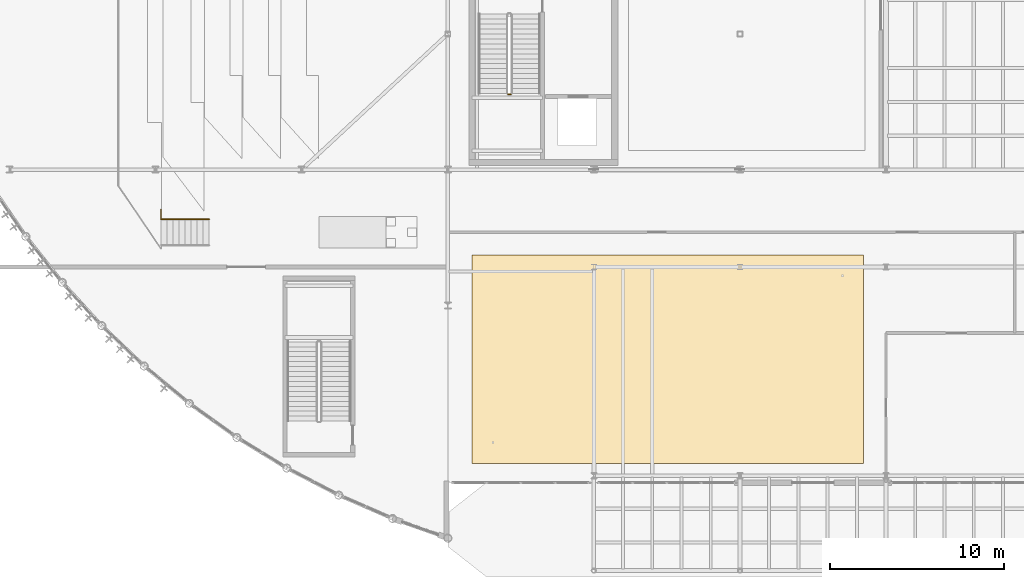
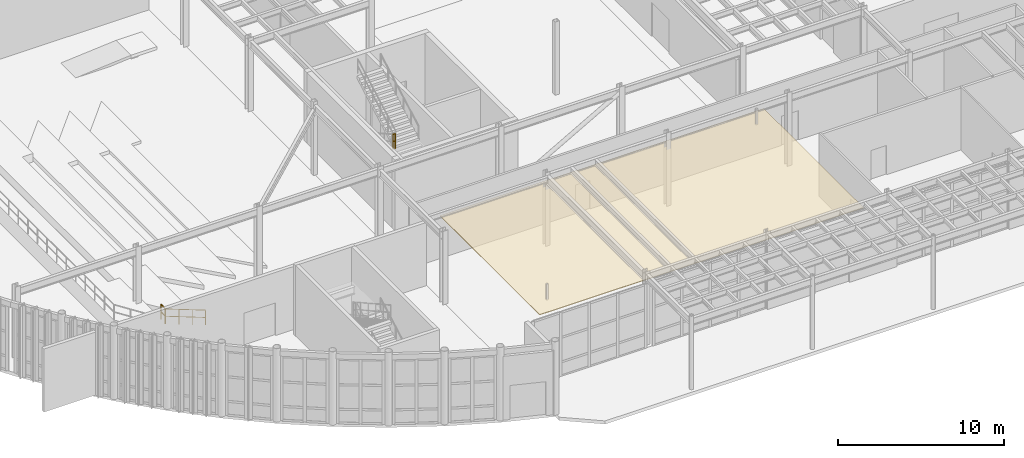
# One storey, part 78 of 87: 3 railings, 1 covering.
"""IFC4 building model written with IfcOpenShell, lengths in metres."""

from ifc_helpers import new_model, si_unit, direction, frame, origin, origin_2d, place, context, subcontext, project, spatial, polyline, circle, outline, extrude, material, layer, layer_set, type_object, element, save


model = new_model("IFC4")

# Units and contexts
model_context = context("Model", 3, precision=1e-05, world=origin(), true_north=direction((0.0, 1.0)))
body_context = subcontext(model_context, "Body", "Model", "MODEL_VIEW")
ifc_project = project(units=[si_unit("LENGTHUNIT", "METRE"), si_unit("AREAUNIT", "SQUARE_METRE"), si_unit("VOLUMEUNIT", "CUBIC_METRE"), si_unit("PLANEANGLEUNIT", "RADIAN"), si_unit("MASSUNIT", "GRAM", prefix="KILO")], contexts=[model_context])

# Site, building, storey
site_placement = place(None, origin())
site = spatial("IfcSite", under=ifc_project, at=site_placement, CompositionType="ELEMENT")
building_placement = place(site_placement, origin())
building = spatial("IfcBuilding", under=site, at=building_placement, Name="Selat Folded Stagehouse", CompositionType="ELEMENT")
storey_placement = place(building_placement, origin())
storey = spatial("IfcBuildingStorey", under=building, at=storey_placement, Name="L00", CompositionType="ELEMENT", Elevation=0.0)

# Covering
ifc_material_1 = material(Name="Acoustic perforated timber and mineral wool", Category="wood")
ifc_layer_1 = layer(ifc_material_1, 0.050048828125)
ifc_layer_set_1 = layer_set([ifc_layer_1], Name="Acoustic perforated timber and mineral wool")
covering_type = type_object("IfcCoveringType", Name="COV-CEIL-AC50", PredefinedType="CEILING", material=ifc_layer_set_1)
covering_placement = place(storey_placement, frame((0.0, 0.0, 4.10009765625)))
element("IfcCovering", 1, at=covering_placement, inside=storey, type_object=covering_type, Name="L00 suspended acoustic ceiling CLG-L00-FYR", PredefinedType="CEILING", context=body_context, shape_type="SweptSolid", body=[
    extrude(outline(polyline([(35.0, 6.5), (57.5, 6.5), (57.5, 18.5), (35.0, 18.5), (35.0, 6.5)])), origin(), (0.0, 0.0, 1.0), 0.0498046875),
])

# Railings
ifc_material_2 = material(Name="Bronze-anodised steel balustrade", Category="steel")
ifc_layer_2 = layer(ifc_material_2, 0.06494140625)
ifc_layer_set_2 = layer_set([ifc_layer_2], Name="Bronze-anodised steel balustrade")
railing_type = type_object("IfcRailingType", Name="RLG-BAL-1120", PredefinedType="BALUSTRADE", material=ifc_layer_set_2)
railing_1_placement = place(storey_placement, frame((17.110107421875, 20.60009765625, 1.215087890625)))
element("IfcRailing", 2, at=railing_1_placement, inside=storey, type_object=railing_type, Name="L00 protective guard railing 014", PredefinedType="BALUSTRADE", context=body_context, shape_type="SweptSolid", body=[
    extrude(circle(Radius=0.02392578125, at=origin_2d()), frame((0.0, 0.0, 1.09619140625), z_axis=(0.0, 1.0, 0.0), x_axis=(-1.0, 0.0, 0.0)), (0.0, 0.0, 1.0), 0.5),
    extrude(circle(Radius=0.02392578125, at=origin_2d()), frame((0.0, 0.0, 0.56005859375), z_axis=(0.0, 1.0, 0.0), x_axis=(-1.0, 0.0, 0.0)), (0.0, 0.0, 1.0), 0.5),
    extrude(circle(Radius=0.02099609375, at=origin_2d()), origin(), (0.0, 0.0, 1.0), 1.072021484375),
    extrude(circle(Radius=0.02099609375, at=origin_2d()), frame((0.0, 0.5, 0.0)), (0.0, 0.0, 1.0), 1.072021484375),
])
railing_2_placement = place(storey_placement, frame((37.06005859375, 27.72998046875, 2.699951171875)))
element("IfcRailing", 3, at=railing_2_placement, inside=storey, type_object=railing_type, Name="L00 ST-01 stair well guard 2", PredefinedType="BALUSTRADE", context=body_context, shape_type="SweptSolid", body=[
    extrude(circle(Radius=0.02392578125, at=origin_2d()), frame((0.0, 0.0, 1.09619140625), z_axis=(1.0, 0.0, 0.0), x_axis=(0.0, 1.0, 0.0)), (0.0, 0.0, 1.0), 0.159912109375),
    extrude(circle(Radius=0.02392578125, at=origin_2d()), frame((0.0, 0.0, 0.56005859375), z_axis=(1.0, 0.0, 0.0), x_axis=(0.0, 1.0, 0.0)), (0.0, 0.0, 1.0), 0.159912109375),
    extrude(circle(Radius=0.02099609375, at=origin_2d()), origin(), (0.0, 0.0, 1.0), 1.072021484375),
    extrude(circle(Radius=0.02099609375, at=origin_2d()), frame((0.159912109375, 0.0, 0.0)), (0.0, 0.0, 1.0), 1.072021484375),
])
railing_3_placement = place(storey_placement, frame((19.8798828125, 20.5400390625, 0.159912109375)))
element("IfcRailing", 4, at=railing_3_placement, inside=storey, type_object=railing_type, Name="L00 aisle stair balustrade STA-MT-L00-S-N", PredefinedType="BALUSTRADE", context=body_context, shape_type="SweptSolid", body=[
    extrude(circle(Radius=0.02392578125, at=origin_2d()), frame((0.0, 0.0, 1.09619140625), z_axis=(-0.93405507767, 0.0, 0.357128984933), x_axis=(0.0, -1.0, 0.0)), (0.0, 0.0, 1.0), 2.95458984375),
    extrude(circle(Radius=0.02392578125, at=origin_2d()), frame((0.0, 0.0, 0.56005859375), z_axis=(-0.93405507767, 0.0, 0.357128984933), x_axis=(0.0, -1.0, 0.0)), (0.0, 0.0, 1.0), 2.95458984375),
    extrude(circle(Radius=0.02099609375, at=origin_2d()), origin(), (0.0, 0.0, 1.0), 1.072021484375),
    extrude(circle(Radius=0.02099609375, at=origin_2d()), frame((-0.919921875, 0.0, 0.351806640625)), (0.0, 0.0, 1.0), 1.072021484375),
    extrude(circle(Radius=0.02099609375, at=origin_2d()), frame((-1.83984375, 0.0, 0.703369140625)), (0.0, 0.0, 1.0), 1.072021484375),
    extrude(circle(Radius=0.02099609375, at=origin_2d()), frame((-2.759765625, 0.0, 1.05517578125)), (0.0, 0.0, 1.0), 1.072021484375),
])

save(model, "model.ifc")
